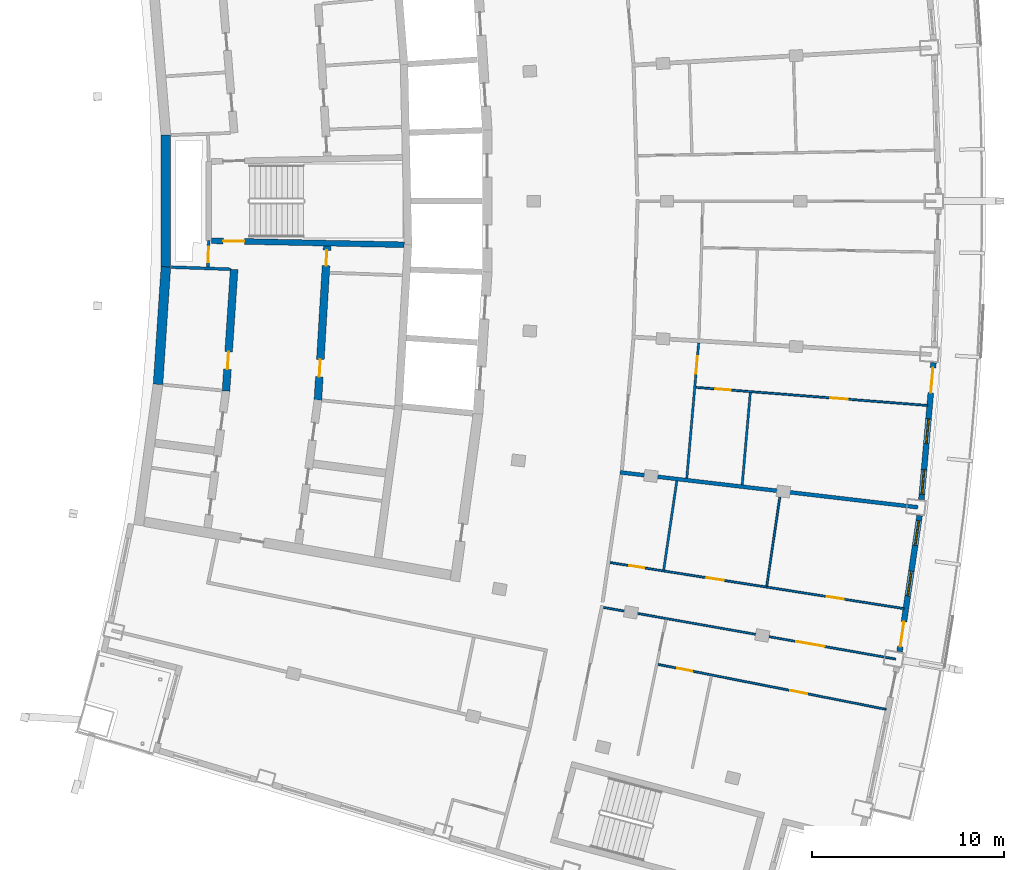
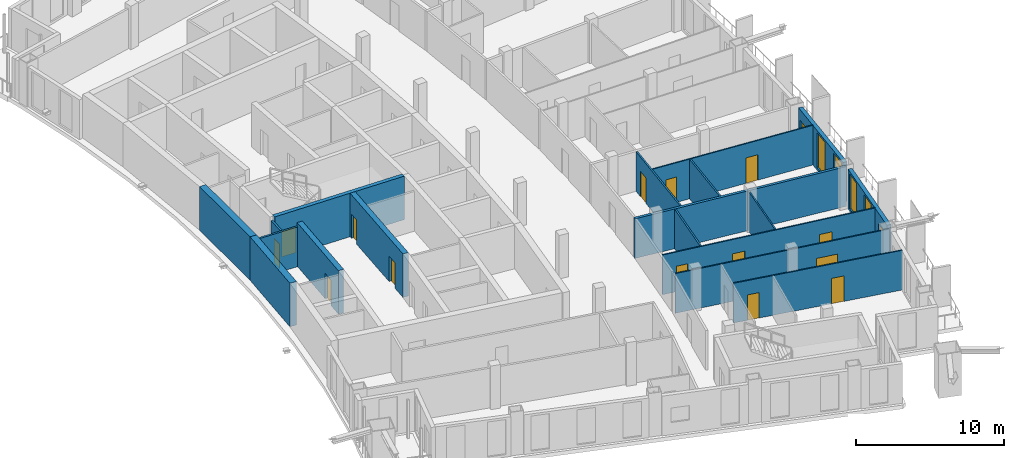
# One storey, part 9 of 20: 18 walls, 16 doors, 4 windows, 20 openings.
"""IFC4 building model written with IfcOpenShell, lengths in metres."""

import ifcopenshell
import ifcopenshell.guid

model = None  # the IFC model being written
_history = None  # IfcOwnerHistory: only IFC2X3 demands one
_inside = {}  # id of a spatial element -> (the spatial element, [elements in it])
_under = {}  # id of a project, library or spatial element -> (it, [spatial elements below it])
_declared = {}  # id of a project -> (the project, [libraries it declares])
_typed = {}  # id of a type object -> (the type object, [elements of that type])
_made_of = {}  # id of a material, layer set ... -> (it, [elements and type objects made of it])


def new_model(schema):
    """Start an empty IFC model of exactly this schema.

    Asked for "IFC4X3", IfcOpenShell would pick the latest addendum, in which some entities
    have other attributes; the version numbers below select the first issue.
    IFC2X3 requires an IfcOwnerHistory on every rooted entity: one is made here for all.
    """
    global model, _history
    if schema == "IFC4X3":
        model = ifcopenshell.file(schema_version=(4, 3, 0, 0))
    else:
        model = ifcopenshell.file(schema=schema)
    _inside.clear()
    _under.clear()
    _declared.clear()
    _typed.clear()
    _made_of.clear()
    _history = None
    if model.schema == "IFC2X3":
        org = make("IfcOrganization", Name="unknown")
        user = make(
            "IfcPersonAndOrganization",
            ThePerson=make("IfcPerson", FamilyName="unknown"),
            TheOrganization=org,
        )
        app = make(
            "IfcApplication",
            ApplicationDeveloper=org,
            Version="unknown",
            ApplicationFullName="unknown",
            ApplicationIdentifier="unknown",
        )
        _history = make(
            "IfcOwnerHistory",
            OwningUser=user,
            OwningApplication=app,
            ChangeAction="ADDED",
            CreationDate=0,
        )
    return model


def make(cls, **values):
    """One entity of the class cls with the attributes given. An attribute that is None is left unset."""
    return model.create_entity(
        cls, **{name: value for name, value in values.items() if value is not None}
    )


def rooted(cls, **values):
    """An entity with a GlobalId (a new one), such as an element, a storey or a relation."""
    return make(cls, GlobalId=ifcopenshell.guid.new(), OwnerHistory=_history, **values)


def si_unit(unit_type, name, prefix=None):
    """IfcSIUnit, for example si_unit("LENGTHUNIT", "METRE", prefix="MILLI")."""
    return make("IfcSIUnit", UnitType=unit_type, Prefix=prefix, Name=name)


def assignment(units):
    """IfcUnitAssignment: the units of a project."""
    return None if units is None else make("IfcUnitAssignment", Units=units)


def point(xyz):
    """IfcCartesianPoint."""
    return None if xyz is None else make("IfcCartesianPoint", Coordinates=xyz)


def direction(xyz):
    """IfcDirection."""
    return None if xyz is None else make("IfcDirection", DirectionRatios=xyz)


def frame(location, z_axis=None, x_axis=None):
    """IfcAxis2Placement3D, a coordinate frame: its origin and axes. An axis left out is left unset."""
    return make(
        "IfcAxis2Placement3D",
        Location=point(location),
        Axis=direction(z_axis),
        RefDirection=direction(x_axis),
    )


def frame_2d(location, x_axis=None):
    """IfcAxis2Placement2D, a coordinate frame in the plane: its origin and x axis."""
    return make(
        "IfcAxis2Placement2D", Location=point(location), RefDirection=direction(x_axis)
    )


def origin():
    """The frame at (0, 0, 0) with its axes left unset."""
    return frame((0.0, 0.0, 0.0))


def place(relative_to, where):
    """IfcLocalPlacement: puts the frame where relative to a parent placement (None: the world)."""
    return make(
        "IfcLocalPlacement", PlacementRelTo=relative_to, RelativePlacement=where
    )


def context(
    kind, dimensions, precision=None, world=None, true_north=None, identifier=None
):
    """IfcGeometricRepresentationContext, for example the 3D "Model" context."""
    return make(
        "IfcGeometricRepresentationContext",
        ContextIdentifier=identifier,
        ContextType=kind,
        CoordinateSpaceDimension=dimensions,
        Precision=precision,
        WorldCoordinateSystem=world,
        TrueNorth=true_north,
    )


def subcontext(parent, identifier, kind, view, scale=None):
    """IfcGeometricRepresentationSubContext, for example "Body" below "Model"."""
    return make(
        "IfcGeometricRepresentationSubContext",
        ContextIdentifier=identifier,
        ContextType=kind,
        ParentContext=parent,
        TargetScale=scale,
        TargetView=view,
    )


def project(units=None, contexts=None):
    """IfcProject with its units and contexts."""
    return rooted(
        "IfcProject",
        Name="project",
        RepresentationContexts=contexts,
        UnitsInContext=assignment(units),
    )


def spatial(cls, under=None, at=None, **own):
    """A site, building, storey or space (cls), placed at a placement, below another one or the project."""
    s = rooted(cls, ObjectPlacement=at, **own)
    if under is not None:
        _under.setdefault(under.id(), (under, []))[1].append(s)
    return s


def profile(cls, at=None, kind="AREA", **sizes):
    """A parametric profile (cls). Its sizes go by their IFC names, for example OverallWidth=200.0."""
    return make(cls, ProfileType=kind, Position=at, **sizes)


def rectangle(**sizes):
    """IfcRectangleProfileDef."""
    return profile("IfcRectangleProfileDef", **sizes)


def extrude(swept, where, along, depth):
    """IfcExtrudedAreaSolid: the profile swept, set in the frame where, extruded along a direction by depth."""
    return make(
        "IfcExtrudedAreaSolid",
        SweptArea=swept,
        Position=where,
        ExtrudedDirection=direction(along),
        Depth=depth,
    )


def shape(context_of_items, identifier, shape_type, items):
    """IfcShapeRepresentation: the items that make up one representation, for example the "Body"."""
    return make(
        "IfcShapeRepresentation",
        ContextOfItems=context_of_items,
        RepresentationIdentifier=identifier,
        RepresentationType=shape_type,
        Items=items,
    )


def material(Name=None, Category=None):
    """IfcMaterial."""
    return make("IfcMaterial", Name=Name, Category=Category)


def layer(
    of_material, thickness, ventilated=None, Name=None, Category=None, Priority=None
):
    """IfcMaterialLayer: one layer of a wall or slab, of a material (None: an air gap)."""
    return make(
        "IfcMaterialLayer",
        Material=of_material,
        LayerThickness=thickness,
        IsVentilated=ventilated,
        Name=Name,
        Category=Category,
        Priority=Priority,
    )


def layer_set(layers, Name=None):
    """IfcMaterialLayerSet."""
    return make("IfcMaterialLayerSet", MaterialLayers=layers, LayerSetName=Name)


def made_of(thing, what):
    """Note that an element or type object is made of a material, layer set ...; save() writes the relation."""
    if what is not None:
        _made_of.setdefault(what.id(), (what, []))[1].append(thing)
    return thing


def type_object(cls, material=None, **own):
    """A type object (cls), such as IfcWallType, which elements share."""
    return made_of(rooted(cls, **own), material)


def element(
    cls,
    number,
    at=None,
    inside=None,
    cuts=None,
    type_object=None,
    material=None,
    context=None,
    identifier="Body",
    shape_type=None,
    held_by="IfcProductDefinitionShape",
    body=None,
    shapes=None,
    **own,
):
    """One element of the class cls, such as IfcWall. Its Tag is "e" and its number.

    at: its placement. inside: the storey or other place that contains it. cuts: it is an
    opening in that element (IfcRelVoidsElement). A single representation is given by context,
    identifier, shape_type and body (its items); several are given by shapes. held_by: the class
    of the entity that holds the representations. save() writes the other relations.
    """
    e = rooted(cls, Tag="e%d" % number, ObjectPlacement=at, **own)
    if body is not None:
        shapes = [shape(context, identifier, shape_type, body)]
    if shapes is not None:
        e.Representation = make(held_by, Representations=shapes)
    if inside is not None:
        _inside.setdefault(inside.id(), (inside, []))[1].append(e)
    if cuts is not None:
        rooted(
            "IfcRelVoidsElement", RelatingBuildingElement=cuts, RelatedOpeningElement=e
        )
    if type_object is not None:
        _typed.setdefault(type_object.id(), (type_object, []))[1].append(e)
    return made_of(e, material)


def fill(opening, filler):
    """IfcRelFillsElement: the door or window that sits in an opening."""
    return rooted(
        "IfcRelFillsElement",
        RelatingOpeningElement=opening,
        RelatedBuildingElement=filler,
    )


def aggregate(whole, parts):
    """IfcRelAggregates: a whole, such as a stair, and the parts it consists of."""
    return rooted("IfcRelAggregates", RelatingObject=whole, RelatedObjects=parts)


def save(model, path):
    """Write the relations noted so far, then the file.

    IfcRelAggregates (storeys below a building ...), IfcRelContainedInSpatialStructure (elements
    in a storey), IfcRelDefinesByType, IfcRelAssociatesMaterial and IfcRelDeclares: one each for
    every whole, place, type object, material and project.
    """
    for whole, parts in _under.values():
        aggregate(whole, parts)
    for where, things in _inside.values():
        rooted(
            "IfcRelContainedInSpatialStructure",
            RelatedElements=things,
            RelatingStructure=where,
        )
    for kind, things in _typed.values():
        rooted("IfcRelDefinesByType", RelatedObjects=things, RelatingType=kind)
    for what, things in _made_of.values():
        rooted("IfcRelAssociatesMaterial", RelatedObjects=things, RelatingMaterial=what)
    for by, libraries in _declared.values():
        rooted("IfcRelDeclares", RelatingContext=by, RelatedDefinitions=libraries)
    model.write(path)


model = new_model("IFC4")

# Units and contexts
model_context = context("Model", 3, precision=1e-05, world=origin(), true_north=direction((0.0, 1.0)))
body_context = subcontext(model_context, "Body", "Model", "MODEL_VIEW")
ifc_project = project(units=[si_unit("LENGTHUNIT", "METRE"), si_unit("AREAUNIT", "SQUARE_METRE"), si_unit("VOLUMEUNIT", "CUBIC_METRE"), si_unit("PLANEANGLEUNIT", "RADIAN"), si_unit("MASSUNIT", "GRAM", prefix="KILO")], contexts=[model_context])

# Site, building, storey
site_placement = place(None, origin())
site = spatial("IfcSite", under=ifc_project, at=site_placement, CompositionType="ELEMENT")
building_placement = place(site_placement, origin())
building = spatial("IfcBuilding", under=site, at=building_placement, Name="Alderwake Tower", CompositionType="ELEMENT")
storey_placement = place(building_placement, frame((0.0, 0.0, 263.60009765625)))
storey = spatial("IfcBuildingStorey", under=building, at=storey_placement, Name="L65", CompositionType="ELEMENT", Elevation=263.60009765625)

# Wall, opening, door
ifc_material_1 = material(Name="Gypsum shaft wall system, rated")
ifc_layer_1 = layer(ifc_material_1, 0.14990234375)
ifc_layer_set_1 = layer_set([ifc_layer_1], Name="Core room partition 150")
wall_type_1 = type_object("IfcWallType", Name="Core room partition 150", PredefinedType="PARTITIONING", material=ifc_layer_set_1)
wall_1_placement = place(storey_placement, frame((18.918701171875, 58.94384765625, 0.0), z_axis=(0.0, 0.0, 1.0), x_axis=(-0.027811602725, -0.999613182563, 0.0)))
wall_1 = element("IfcWall", 1, at=wall_1_placement, inside=storey, type_object=wall_type_1, Name="CW/L65/PA+24_-37", PredefinedType="PARTITIONING", context=body_context, shape_type="SweptSolid", body=[
    extrude(rectangle(XDim=1.369384765625, YDim=0.14990234375, at=frame_2d((0.6845703125, 0.0))), origin(), (0.0, 0.0, 1.0), 3.27978515625),
])
opening_1_placement = place(wall_1_placement, frame((0.322998046875, 0.0, 0.0)))
opening_1 = element("IfcOpeningElement", 2, at=opening_1_placement, cuts=wall_1, Name="Opening C004", PredefinedType="OPENING", context=body_context, shape_type="SweptSolid", body=[
    extrude(rectangle(XDim=0.800048828125, YDim=2.0, at=frame_2d((0.39990234375, 1.0))), frame((0.0, 0.0849609375, 0.0), z_axis=(0.0, -1.0, 0.0), x_axis=(1.0, 0.0, 0.0)), (0.0, 0.0, 1.0), 0.169921875),
])
ifc_material_2 = material(Name="Painted steel leaf, rated", Category="steel")
door_type_1 = type_object("IfcDoorType", Name="Riser access door 800", OperationType="SINGLE_SWING_LEFT", PredefinedType="DOOR", material=ifc_material_2)
door_1_placement = place(opening_1_placement, origin())
door_1 = element("IfcDoor", 3, at=door_1_placement, inside=storey, type_object=door_type_1, Name="Riser access door", OperationType="SINGLE_SWING_RIGHT", OverallHeight=2.0, OverallWidth=0.800048828125, PredefinedType="DOOR", context=body_context, shape_type="SweptSolid", body=[
    extrude(rectangle(XDim=0.800048828125, YDim=2.0, at=frame_2d((0.39990234375, 1.0))), frame((0.0, 0.02490234375, 0.0), z_axis=(0.0, -1.0, 0.0), x_axis=(1.0, 0.0, 0.0)), (0.0, 0.0, 1.0), 0.050048828125),
])
fill(opening_1, door_1)

# Walls
wall_2_placement = place(storey_placement, frame((16.969482421875, 57.5673828125, 0.0), z_axis=(0.0, 0.0, 1.0), x_axis=(0.999376258731, -0.035314210814, 0.0)))
element("IfcWall", 4, at=wall_2_placement, inside=storey, type_object=wall_type_1, Name="CW/L65/PR-37_+0", PredefinedType="PARTITIONING", context=body_context, shape_type="SweptSolid", body=[
    extrude(rectangle(XDim=3.069580078125, YDim=0.14990234375, at=frame_2d((1.53466796875, 0.0))), origin(), (0.0, 0.0, 1.0), 3.27978515625),
])
ifc_material_3 = material(Name="Concrete C70/85", Category="concrete")
ifc_layer_2 = layer(ifc_material_3, 0.5)
ifc_layer_set_2 = layer_set([ifc_layer_2], Name="Core wall outer 500 C70-85")
wall_type_2 = type_object("IfcWallType", Name="Core wall outer 500 C70-85", PredefinedType="SHEAR", material=ifc_layer_set_2)
wall_3_placement = place(storey_placement, frame((16.280517578125, 51.4765625, 0.0), z_axis=(0.0, 0.0, 1.0), x_axis=(0.066863022947, 0.997762164127, 0.0)))
element("IfcWall", 5, at=wall_3_placement, inside=storey, type_object=wall_type_2, Name="Core wall CW.027", PredefinedType="SHEAR", context=body_context, shape_type="SweptSolid", body=[
    extrude(rectangle(XDim=6.123291015625, YDim=0.5, at=frame_2d((3.0615234375, 0.0))), origin(), (0.0, 0.0, 1.0), 3.599853515625),
])
wall_4_placement = place(storey_placement, frame((16.689453125, 57.568603515625, 0.0), z_axis=(0.0, 0.0, 1.0), x_axis=(0.0, 1.0, 0.0)))
element("IfcWall", 6, at=wall_4_placement, inside=storey, type_object=wall_type_2, Name="Core wall CW.029", PredefinedType="SHEAR", context=body_context, shape_type="SweptSolid", body=[
    extrude(rectangle(XDim=6.86474609375, YDim=0.5, at=frame_2d((3.432373046875, 0.0))), origin(), (0.0, 0.0, 1.0), 3.599853515625),
])

# Wall, opening, door
ifc_material_4 = material(Name="Concrete C70/85", Category="concrete")
ifc_layer_3 = layer(ifc_material_4, 0.39990234375)
ifc_layer_set_3 = layer_set([ifc_layer_3], Name="Core wall spine 400 C70-85")
wall_type_3 = type_object("IfcWallType", Name="Core wall spine 400 C70-85", PredefinedType="SHEAR", material=ifc_layer_set_3)
wall_5_placement = place(storey_placement, frame((20.2373046875, 57.451904296875, 0.0), z_axis=(0.0, 0.0, 1.0), x_axis=(-0.066884681503, -0.997760712486, 0.0)))
wall_5 = element("IfcWall", 7, at=wall_5_placement, inside=storey, type_object=wall_type_3, Name="Core wall CW.032", PredefinedType="SHEAR", context=body_context, shape_type="SweptSolid", body=[
    extrude(rectangle(XDim=6.336669921875, YDim=0.39990234375, at=frame_2d((3.16845703125, 0.0))), origin(), (0.0, 0.0, 1.0), 3.599853515625),
])
opening_2_placement = place(wall_5_placement, frame((4.29736328125, 0.0, 0.0)))
opening_2 = element("IfcOpeningElement", 8, at=opening_2_placement, cuts=wall_5, Name="Opening C040", PredefinedType="OPENING", context=body_context, shape_type="SweptSolid", body=[
    extrude(rectangle(XDim=0.89990234375, YDim=2.10009765625, at=frame_2d((0.449951171875, 1.050048828125))), frame((0.0, 0.2099609375, 0.0), z_axis=(0.0, -1.0, 0.0), x_axis=(1.0, 0.0, 0.0)), (0.0, 0.0, 1.0), 0.419921875),
])
ifc_material_5 = material(Name="Painted steel leaf", Category="steel")
door_type_2 = type_object("IfcDoorType", Name="Core room door 900", OperationType="SINGLE_SWING_LEFT", PredefinedType="DOOR", material=ifc_material_5)
door_2_placement = place(opening_2_placement, origin())
door_2 = element("IfcDoor", 9, at=door_2_placement, inside=storey, type_object=door_type_2, Name="Room door", OperationType="SINGLE_SWING_RIGHT", OverallHeight=2.10009765625, OverallWidth=0.89990234375, PredefinedType="DOOR", context=body_context, shape_type="SweptSolid", body=[
    extrude(rectangle(XDim=0.89990234375, YDim=2.10009765625, at=frame_2d((0.449951171875, 1.050048828125))), frame((0.0, 0.02490234375, 0.0), z_axis=(0.0, -1.0, 0.0), x_axis=(1.0, 0.0, 0.0)), (0.0, 0.0, 1.0), 0.050048828125),
])
fill(opening_2, door_2)

# Wall, openings, doors
wall_6_placement = place(storey_placement, frame((24.590087890625, 50.65673828125, 0.0), z_axis=(0.0, 0.0, 1.0), x_axis=(0.060318641452, 0.998179173041, 0.0)))
wall_6 = element("IfcWall", 10, at=wall_6_placement, inside=storey, type_object=wall_type_3, Name="Core wall CW.046", PredefinedType="SHEAR", context=body_context, shape_type="SweptSolid", body=[
    extrude(rectangle(XDim=8.022216796875, YDim=0.39990234375, at=frame_2d((4.01123046875, 0.0))), origin(), (0.0, 0.0, 1.0), 3.599853515625),
])
opening_3_placement = place(wall_6_placement, frame((7.006103515625, 0.0, 0.0)))
opening_3 = element("IfcOpeningElement", 11, at=opening_3_placement, cuts=wall_6, Name="Opening C006", PredefinedType="OPENING", context=body_context, shape_type="SweptSolid", body=[
    extrude(rectangle(XDim=0.800048828125, YDim=2.0, at=frame_2d((0.39990234375, 1.0))), frame((0.0, 0.2099609375, 0.0), z_axis=(0.0, -1.0, 0.0), x_axis=(1.0, 0.0, 0.0)), (0.0, 0.0, 1.0), 0.419921875),
])
opening_4_placement = place(wall_6_placement, frame((1.21533203125, 0.0, 0.0)))
opening_4 = element("IfcOpeningElement", 12, at=opening_4_placement, cuts=wall_6, Name="Opening C046", PredefinedType="OPENING", context=body_context, shape_type="SweptSolid", body=[
    extrude(rectangle(XDim=0.89990234375, YDim=2.10009765625, at=frame_2d((0.449951171875, 1.050048828125))), frame((0.0, 0.2099609375, 0.0), z_axis=(0.0, -1.0, 0.0), x_axis=(1.0, 0.0, 0.0)), (0.0, 0.0, 1.0), 0.419921875),
])
door_3_placement = place(opening_4_placement, origin())
door_3 = element("IfcDoor", 13, at=door_3_placement, inside=storey, type_object=door_type_2, Name="Room door", OperationType="SINGLE_SWING_RIGHT", OverallHeight=2.10009765625, OverallWidth=0.89990234375, PredefinedType="DOOR", context=body_context, shape_type="SweptSolid", body=[
    extrude(rectangle(XDim=0.89990234375, YDim=2.10009765625, at=frame_2d((0.449951171875, 1.050048828125))), frame((0.0, 0.02490234375, 0.0), z_axis=(0.0, -1.0, 0.0), x_axis=(1.0, 0.0, 0.0)), (0.0, 0.0, 1.0), 0.050048828125),
])
fill(opening_4, door_3)
door_4_placement = place(opening_3_placement, origin())
door_4 = element("IfcDoor", 14, at=door_4_placement, inside=storey, type_object=door_type_1, Name="Riser access door", OperationType="SINGLE_SWING_RIGHT", OverallHeight=2.0, OverallWidth=0.800048828125, PredefinedType="DOOR", context=body_context, shape_type="SweptSolid", body=[
    extrude(rectangle(XDim=0.800048828125, YDim=2.0, at=frame_2d((0.39990234375, 1.0))), frame((0.0, 0.02490234375, 0.0), z_axis=(0.0, -1.0, 0.0), x_axis=(1.0, 0.0, 0.0)), (0.0, 0.0, 1.0), 0.050048828125),
])
fill(opening_3, door_4)

# Wall, opening, door
ifc_material_6 = material(Name="Concrete C70/85", Category="concrete")
ifc_layer_4 = layer(ifc_material_6, 0.300048828125)
ifc_layer_set_4 = layer_set([ifc_layer_4], Name="Core wall stair enclosure 300 C70-85")
wall_type_4 = type_object("IfcWallType", Name="Core wall stair enclosure 300 C70-85", PredefinedType="SHEAR", material=ifc_layer_set_4)
wall_7_placement = place(storey_placement, frame((29.076416015625, 58.73095703125, 0.0), z_axis=(0.0, 0.0, 1.0), x_axis=(-0.99978356433, 0.020804434533, 0.0)))
wall_7 = element("IfcWall", 15, at=wall_7_placement, inside=storey, type_object=wall_type_4, Name="Core wall CW.074", PredefinedType="SHEAR", context=body_context, shape_type="SweptSolid", body=[
    extrude(rectangle(XDim=10.010009765625, YDim=0.300048828125, at=frame_2d((5.0048828125, 0.0))), origin(), (0.0, 0.0, 1.0), 3.599853515625),
])
opening_5_placement = place(wall_7_placement, frame((8.309814453125, 0.0, 0.0)))
opening_5 = element("IfcOpeningElement", 16, at=opening_5_placement, cuts=wall_7, Name="Opening C063", PredefinedType="OPENING", context=body_context, shape_type="SweptSolid", body=[
    extrude(rectangle(XDim=1.10009765625, YDim=2.10009765625, at=frame_2d((0.550048828125, 1.050048828125))), frame((0.0, 0.159912109375, 0.0), z_axis=(0.0, -1.0, 0.0), x_axis=(1.0, 0.0, 0.0)), (0.0, 0.0, 1.0), 0.320068359375),
])
ifc_material_7 = material(Name="Steel-framed fire door leaf", Category="steel")
door_type_3 = type_object("IfcDoorType", Name="Core stair door 1100 fire-rated", OperationType="SINGLE_SWING_LEFT", PredefinedType="DOOR", material=ifc_material_7)
door_5_placement = place(opening_5_placement, origin())
door_5 = element("IfcDoor", 17, at=door_5_placement, inside=storey, type_object=door_type_3, Name="Stair door", OperationType="SINGLE_SWING_RIGHT", OverallHeight=2.10009765625, OverallWidth=1.10009765625, PredefinedType="DOOR", context=body_context, shape_type="SweptSolid", body=[
    extrude(rectangle(XDim=1.10009765625, YDim=2.10009765625, at=frame_2d((0.550048828125, 1.050048828125))), frame((0.0, 0.02490234375, 0.0), z_axis=(0.0, -1.0, 0.0), x_axis=(1.0, 0.0, 0.0)), (0.0, 0.0, 1.0), 0.050048828125),
])
fill(opening_5, door_5)

# Wall, openings, door, windows
ifc_material_8 = material(Name="Precast concrete C50/60 spandrel panel", Category="concrete")
ifc_layer_5 = layer(ifc_material_8, 0.300048828125)
ifc_layer_set_5 = layer_set([ifc_layer_5], Name="External wall EW1 Precast concrete C50/60 spandrel")
wall_type_5 = type_object("IfcWallType", Name="External wall EW1 Precast concrete C50/60 spandrel", PredefinedType="SOLIDWALL", material=ifc_layer_set_5)
wall_8_placement = place(storey_placement, frame((54.821044921875, 37.590576171875, 0.0), z_axis=(0.0, 0.0, 1.0), x_axis=(0.145317744338, 0.98938503788, 0.0)))
wall_8 = element("IfcWall", 18, at=wall_8_placement, inside=storey, type_object=wall_type_5, Name="External wall 13", PredefinedType="SOLIDWALL", context=body_context, shape_type="SweptSolid", body=[
    extrude(rectangle(XDim=7.138427734375, YDim=0.300048828125, at=frame_2d((3.5693359375, 0.0))), origin(), (0.0, 0.0, 1.0), 3.27978515625),
])
opening_6_placement = place(wall_8_placement, frame((0.263427734375, 0.0, 0.0)))
opening_6 = element("IfcOpeningElement", 19, at=opening_6_placement, cuts=wall_8, Name="Opening D03", PredefinedType="OPENING", context=body_context, shape_type="SweptSolid", body=[
    extrude(rectangle(XDim=1.300048828125, YDim=2.39990234375, at=frame_2d((0.64990234375, 1.199951171875))), frame((0.0, 0.159912109375, 0.0), z_axis=(0.0, -1.0, 0.0), x_axis=(1.0, 0.0, 0.0)), (0.0, 0.0, 1.0), 0.320068359375),
])
opening_7_placement = place(wall_8_placement, frame((2.919189453125, 0.0, 0.199951171875)))
opening_7 = element("IfcOpeningElement", 20, at=opening_7_placement, cuts=wall_8, Name="Opening W1", PredefinedType="OPENING", context=body_context, shape_type="SweptSolid", body=[
    extrude(rectangle(XDim=1.300048828125, YDim=2.89990234375, at=frame_2d((0.64990234375, 1.449951171875))), frame((0.0, 0.159912109375, 0.0), z_axis=(0.0, -1.0, 0.0), x_axis=(1.0, 0.0, 0.0)), (0.0, 0.0, 1.0), 0.320068359375),
])
opening_8_placement = place(wall_8_placement, frame((5.574951171875, 0.0, 0.199951171875)))
opening_8 = element("IfcOpeningElement", 21, at=opening_8_placement, cuts=wall_8, Name="Opening W1", PredefinedType="OPENING", context=body_context, shape_type="SweptSolid", body=[
    extrude(rectangle(XDim=1.300048828125, YDim=2.89990234375, at=frame_2d((0.64990234375, 1.449951171875))), frame((0.0, 0.159912109375, 0.0), z_axis=(0.0, -1.0, 0.0), x_axis=(1.0, 0.0, 0.0)), (0.0, 0.0, 1.0), 0.320068359375),
])
ifc_material_9 = material(Name="Bronze tinted glass in aluminium frame", Category="aluminium")
door_type_4 = type_object("IfcDoorType", Name="Balcony door BD sliding", OperationType="SLIDING_TO_LEFT", PredefinedType="DOOR", material=ifc_material_9)
door_6_placement = place(opening_6_placement, origin())
door_6 = element("IfcDoor", 22, at=door_6_placement, inside=storey, type_object=door_type_4, Name="Door D03", OperationType="SLIDING_TO_LEFT", OverallHeight=2.39990234375, OverallWidth=1.300048828125, PredefinedType="DOOR", context=body_context, shape_type="SweptSolid", body=[
    extrude(rectangle(XDim=1.300048828125, YDim=2.39990234375, at=frame_2d((0.64990234375, 1.199951171875))), frame((0.0, 0.02490234375, 0.0), z_axis=(0.0, -1.0, 0.0), x_axis=(1.0, 0.0, 0.0)), (0.0, 0.0, 1.0), 0.050048828125),
])
fill(opening_6, door_6)
ifc_material_10 = material(Name="Bronze tinted glass in aluminium frame", Category="aluminium")
window_type = type_object("IfcWindowType", Name="Window W1 tall fixed and vent", PartitioningType="DOUBLE_PANEL_VERTICAL", PredefinedType="WINDOW", material=ifc_material_10)
window_1_placement = place(opening_7_placement, origin())
window_1 = element("IfcWindow", 23, at=window_1_placement, inside=storey, type_object=window_type, Name="Window W1 tall fixed and vent", OverallHeight=2.89990234375, OverallWidth=1.300048828125, PartitioningType="DOUBLE_PANEL_VERTICAL", PredefinedType="WINDOW", context=body_context, shape_type="SweptSolid", body=[
    extrude(rectangle(XDim=1.300048828125, YDim=2.89990234375, at=frame_2d((0.64990234375, 1.449951171875))), frame((0.0, 0.030029296875, 0.0), z_axis=(0.0, -1.0, 0.0), x_axis=(1.0, 0.0, 0.0)), (0.0, 0.0, 1.0), 0.06005859375),
])
fill(opening_7, window_1)
window_2_placement = place(opening_8_placement, origin())
window_2 = element("IfcWindow", 24, at=window_2_placement, inside=storey, type_object=window_type, Name="Window W1 tall fixed and vent", OverallHeight=2.89990234375, OverallWidth=1.300048828125, PartitioningType="DOUBLE_PANEL_VERTICAL", PredefinedType="WINDOW", context=body_context, shape_type="SweptSolid", body=[
    extrude(rectangle(XDim=1.300048828125, YDim=2.89990234375, at=frame_2d((0.64990234375, 1.449951171875))), frame((0.0, 0.030029296875, 0.0), z_axis=(0.0, -1.0, 0.0), x_axis=(1.0, 0.0, 0.0)), (0.0, 0.0, 1.0), 0.06005859375),
])
fill(opening_8, window_2)

wall_9_placement = place(storey_placement, frame((55.95654296875, 45.490478515625, 0.0), z_axis=(0.0, 0.0, 1.0), x_axis=(0.087383747715, 0.996174723949, 0.0)))
wall_9 = element("IfcWall", 25, at=wall_9_placement, inside=storey, type_object=wall_type_5, Name="External wall 14", PredefinedType="SOLIDWALL", context=body_context, shape_type="SweptSolid", body=[
    extrude(rectangle(XDim=7.138427734375, YDim=0.300048828125, at=frame_2d((3.5693359375, 0.0))), origin(), (0.0, 0.0, 1.0), 3.27978515625),
])
opening_9_placement = place(wall_9_placement, frame((0.263427734375, 0.0, 0.199951171875)))
opening_9 = element("IfcOpeningElement", 26, at=opening_9_placement, cuts=wall_9, Name="Opening W1", PredefinedType="OPENING", context=body_context, shape_type="SweptSolid", body=[
    extrude(rectangle(XDim=1.300048828125, YDim=2.89990234375, at=frame_2d((0.64990234375, 1.449951171875))), frame((0.0, 0.159912109375, 0.0), z_axis=(0.0, -1.0, 0.0), x_axis=(1.0, 0.0, 0.0)), (0.0, 0.0, 1.0), 0.320068359375),
])
opening_10_placement = place(wall_9_placement, frame((2.919189453125, 0.0, 0.199951171875)))
opening_10 = element("IfcOpeningElement", 27, at=opening_10_placement, cuts=wall_9, Name="Opening W1", PredefinedType="OPENING", context=body_context, shape_type="SweptSolid", body=[
    extrude(rectangle(XDim=1.300048828125, YDim=2.89990234375, at=frame_2d((0.64990234375, 1.449951171875))), frame((0.0, 0.159912109375, 0.0), z_axis=(0.0, -1.0, 0.0), x_axis=(1.0, 0.0, 0.0)), (0.0, 0.0, 1.0), 0.320068359375),
])
opening_11_placement = place(wall_9_placement, frame((5.574951171875, 0.0, 0.0)))
opening_11 = element("IfcOpeningElement", 28, at=opening_11_placement, cuts=wall_9, Name="Opening D04", PredefinedType="OPENING", context=body_context, shape_type="SweptSolid", body=[
    extrude(rectangle(XDim=1.300048828125, YDim=2.39990234375, at=frame_2d((0.64990234375, 1.199951171875))), frame((0.0, 0.159912109375, 0.0), z_axis=(0.0, -1.0, 0.0), x_axis=(1.0, 0.0, 0.0)), (0.0, 0.0, 1.0), 0.320068359375),
])
door_7_placement = place(opening_11_placement, origin())
door_7 = element("IfcDoor", 29, at=door_7_placement, inside=storey, type_object=door_type_4, Name="Door D04", OperationType="SLIDING_TO_LEFT", OverallHeight=2.39990234375, OverallWidth=1.300048828125, PredefinedType="DOOR", context=body_context, shape_type="SweptSolid", body=[
    extrude(rectangle(XDim=1.300048828125, YDim=2.39990234375, at=frame_2d((0.64990234375, 1.199951171875))), frame((0.0, 0.02490234375, 0.0), z_axis=(0.0, -1.0, 0.0), x_axis=(1.0, 0.0, 0.0)), (0.0, 0.0, 1.0), 0.050048828125),
])
fill(opening_11, door_7)
window_3_placement = place(opening_9_placement, origin())
window_3 = element("IfcWindow", 30, at=window_3_placement, inside=storey, type_object=window_type, Name="Window W1 tall fixed and vent", OverallHeight=2.89990234375, OverallWidth=1.300048828125, PartitioningType="DOUBLE_PANEL_VERTICAL", PredefinedType="WINDOW", context=body_context, shape_type="SweptSolid", body=[
    extrude(rectangle(XDim=1.300048828125, YDim=2.89990234375, at=frame_2d((0.64990234375, 1.449951171875))), frame((0.0, 0.030029296875, 0.0), z_axis=(0.0, -1.0, 0.0), x_axis=(1.0, 0.0, 0.0)), (0.0, 0.0, 1.0), 0.06005859375),
])
fill(opening_9, window_3)
window_4_placement = place(opening_10_placement, origin())
window_4 = element("IfcWindow", 31, at=window_4_placement, inside=storey, type_object=window_type, Name="Window W1 tall fixed and vent", OverallHeight=2.89990234375, OverallWidth=1.300048828125, PartitioningType="DOUBLE_PANEL_VERTICAL", PredefinedType="WINDOW", context=body_context, shape_type="SweptSolid", body=[
    extrude(rectangle(XDim=1.300048828125, YDim=2.89990234375, at=frame_2d((0.64990234375, 1.449951171875))), frame((0.0, 0.030029296875, 0.0), z_axis=(0.0, -1.0, 0.0), x_axis=(1.0, 0.0, 0.0)), (0.0, 0.0, 1.0), 0.06005859375),
])
fill(opening_10, window_4)

# Wall
ifc_material_11 = material(Name="Dense block masonry wall", Category="masonry")
ifc_layer_6 = layer(ifc_material_11, 0.199951171875)
ifc_layer_set_6 = layer_set([ifc_layer_6], Name="Party wall 200")
wall_type_6 = type_object("IfcWallType", Name="Party wall 200", PredefinedType="SOLIDWALL", material=ifc_layer_set_6)
wall_10_placement = place(storey_placement, frame((40.297607421875, 46.90234375, 0.0), z_axis=(0.0, 0.0, 1.0), x_axis=(0.993186713738, -0.116533907745, 0.0)))
element("IfcWall", 32, at=wall_10_placement, inside=storey, type_object=wall_type_6, Name="WL/L65/W01", PredefinedType="SOLIDWALL", context=body_context, shape_type="SweptSolid", body=[
    extrude(rectangle(XDim=15.57861328125, YDim=0.199951171875, at=frame_2d((7.789306640625, 0.0))), origin(), (0.0, 0.0, 1.0), 3.27978515625),
])

# Wall, opening, door
ifc_material_12 = material(Name="Gypsum board on metal studs")
ifc_layer_7 = layer(ifc_material_12, 0.10009765625)
ifc_layer_set_7 = layer_set([ifc_layer_7], Name="Unit partition 100")
wall_type_7 = type_object("IfcWallType", Name="Unit partition 100", PredefinedType="PARTITIONING", material=ifc_layer_set_7)
wall_11_placement = place(storey_placement, frame((39.4267578125, 39.883056640625, 0.0), z_axis=(0.0, 0.0, 1.0), x_axis=(0.984746399753, -0.173995770564, 0.0)))
wall_11 = element("IfcWall", 33, at=wall_11_placement, inside=storey, type_object=wall_type_7, Name="WL/L65/W44", PredefinedType="PARTITIONING", context=body_context, shape_type="SweptSolid", body=[
    extrude(rectangle(XDim=15.42041015625, YDim=0.10009765625, at=frame_2d((7.710205078125, 0.0))), origin(), (0.0, 0.0, 1.0), 3.27978515625),
])
opening_12_placement = place(wall_11_placement, frame((10.17431640625, 0.0, 0.0)))
opening_12 = element("IfcOpeningElement", 34, at=opening_12_placement, cuts=wall_11, Name="Opening R18-U03.8", PredefinedType="OPENING", context=body_context, shape_type="SweptSolid", body=[
    extrude(rectangle(XDim=1.5, YDim=2.10009765625, at=frame_2d((0.75, 1.050048828125))), frame((0.0, 0.06005859375, 0.0), z_axis=(0.0, -1.0, 0.0), x_axis=(1.0, 0.0, 0.0)), (0.0, 0.0, 1.0), 0.1201171875),
])
ifc_material_13 = material(Name="Painted timber leaves", Category="wood")
door_type_5 = type_object("IfcDoorType", Name="Double leaf door 1500", OperationType="DOUBLE_DOOR_SINGLE_SWING", PredefinedType="DOOR", material=ifc_material_13)
door_8_placement = place(opening_12_placement, origin())
door_8 = element("IfcDoor", 35, at=door_8_placement, inside=storey, type_object=door_type_5, Name="DR/L65/U03.8", OperationType="DOUBLE_DOOR_SINGLE_SWING", OverallHeight=2.10009765625, OverallWidth=1.5, PredefinedType="DOOR", context=body_context, shape_type="SweptSolid", body=[
    extrude(rectangle(XDim=1.5, YDim=2.10009765625, at=frame_2d((0.75, 1.050048828125))), frame((0.0, 0.02490234375, 0.0), z_axis=(0.0, -1.0, 0.0), x_axis=(1.0, 0.0, 0.0)), (0.0, 0.0, 1.0), 0.050048828125),
])
fill(opening_12, door_8)

# Wall, openings, doors
wall_12_placement = place(storey_placement, frame((39.76904296875, 42.215576171875, 0.0), z_axis=(0.0, 0.0, 1.0), x_axis=(0.987949269918, -0.15477803484, 0.0)))
wall_12 = element("IfcWall", 36, at=wall_12_placement, inside=storey, type_object=wall_type_7, Name="WL/L65/W45", PredefinedType="PARTITIONING", context=body_context, shape_type="SweptSolid", body=[
    extrude(rectangle(XDim=15.46435546875, YDim=0.10009765625, at=frame_2d((7.732177734375, 0.0))), origin(), (0.0, 0.0, 1.0), 3.27978515625),
])
opening_13_placement = place(wall_12_placement, frame((5.07958984375, 0.0, 0.0)))
opening_13 = element("IfcOpeningElement", 37, at=opening_13_placement, cuts=wall_12, Name="Opening R18-U03.5", PredefinedType="OPENING", context=body_context, shape_type="SweptSolid", body=[
    extrude(rectangle(XDim=0.89990234375, YDim=2.10009765625, at=frame_2d((0.449951171875, 1.050048828125))), frame((0.0, 0.06005859375, 0.0), z_axis=(0.0, -1.0, 0.0), x_axis=(1.0, 0.0, 0.0)), (0.0, 0.0, 1.0), 0.1201171875),
])
opening_14_placement = place(wall_12_placement, frame((1.010009765625, 0.0, 0.0)))
opening_14 = element("IfcOpeningElement", 38, at=opening_14_placement, cuts=wall_12, Name="Opening R18-U03.6", PredefinedType="OPENING", context=body_context, shape_type="SweptSolid", body=[
    extrude(rectangle(XDim=0.800048828125, YDim=2.10009765625, at=frame_2d((0.39990234375, 1.050048828125))), frame((0.0, 0.06005859375, 0.0), z_axis=(0.0, -1.0, 0.0), x_axis=(1.0, 0.0, 0.0)), (0.0, 0.0, 1.0), 0.1201171875),
])
opening_15_placement = place(wall_12_placement, frame((11.4013671875, 0.0, 0.0)))
opening_15 = element("IfcOpeningElement", 39, at=opening_15_placement, cuts=wall_12, Name="Opening R18-U03.7", PredefinedType="OPENING", context=body_context, shape_type="SweptSolid", body=[
    extrude(rectangle(XDim=0.89990234375, YDim=2.10009765625, at=frame_2d((0.449951171875, 1.050048828125))), frame((0.0, 0.06005859375, 0.0), z_axis=(0.0, -1.0, 0.0), x_axis=(1.0, 0.0, 0.0)), (0.0, 0.0, 1.0), 0.1201171875),
])
ifc_material_14 = material(Name="Painted timber leaf", Category="wood")
door_type_6 = type_object("IfcDoorType", Name="Bathroom door 800", OperationType="SINGLE_SWING_LEFT", PredefinedType="DOOR", material=ifc_material_14)
door_9_placement = place(opening_14_placement, origin())
door_9 = element("IfcDoor", 40, at=door_9_placement, inside=storey, type_object=door_type_6, Name="DR/L65/U03.6", OperationType="SINGLE_SWING_LEFT", OverallHeight=2.10009765625, OverallWidth=0.800048828125, PredefinedType="DOOR", context=body_context, shape_type="SweptSolid", body=[
    extrude(rectangle(XDim=0.800048828125, YDim=2.10009765625, at=frame_2d((0.39990234375, 1.050048828125))), frame((0.0, 0.02490234375, 0.0), z_axis=(0.0, -1.0, 0.0), x_axis=(1.0, 0.0, 0.0)), (0.0, 0.0, 1.0), 0.050048828125),
])
fill(opening_14, door_9)
ifc_material_15 = material(Name="Painted timber leaf", Category="wood")
door_type_7 = type_object("IfcDoorType", Name="Room door 900", OperationType="SINGLE_SWING_LEFT", PredefinedType="DOOR", material=ifc_material_15)
door_10_placement = place(opening_13_placement, origin())
door_10 = element("IfcDoor", 41, at=door_10_placement, inside=storey, type_object=door_type_7, Name="DR/L65/U03.5", OperationType="SINGLE_SWING_LEFT", OverallHeight=2.10009765625, OverallWidth=0.89990234375, PredefinedType="DOOR", context=body_context, shape_type="SweptSolid", body=[
    extrude(rectangle(XDim=0.89990234375, YDim=2.10009765625, at=frame_2d((0.449951171875, 1.050048828125))), frame((0.0, 0.02490234375, 0.0), z_axis=(0.0, -1.0, 0.0), x_axis=(1.0, 0.0, 0.0)), (0.0, 0.0, 1.0), 0.050048828125),
])
fill(opening_13, door_10)
door_11_placement = place(opening_15_placement, origin())
door_11 = element("IfcDoor", 42, at=door_11_placement, inside=storey, type_object=door_type_7, Name="DR/L65/U03.7", OperationType="SINGLE_SWING_LEFT", OverallHeight=2.10009765625, OverallWidth=0.89990234375, PredefinedType="DOOR", context=body_context, shape_type="SweptSolid", body=[
    extrude(rectangle(XDim=0.89990234375, YDim=2.10009765625, at=frame_2d((0.449951171875, 1.050048828125))), frame((0.0, 0.02490234375, 0.0), z_axis=(0.0, -1.0, 0.0), x_axis=(1.0, 0.0, 0.0)), (0.0, 0.0, 1.0), 0.050048828125),
])
fill(opening_15, door_11)

wall_13_placement = place(storey_placement, frame((54.1201171875, 34.5869140625, 0.0), z_axis=(0.0, 0.0, 1.0), x_axis=(-0.98115541296, 0.193220225697, 0.0)))
wall_13 = element("IfcWall", 43, at=wall_13_placement, inside=storey, type_object=wall_type_7, Name="WL/L65/W48", PredefinedType="PARTITIONING", context=body_context, shape_type="SweptSolid", body=[
    extrude(rectangle(XDim=12.08203125, YDim=0.10009765625, at=frame_2d((6.041015625, 0.0))), origin(), (0.0, 0.0, 1.0), 3.27978515625),
])
opening_16_placement = place(wall_13_placement, frame((10.262939453125, 0.0, 0.0)))
opening_16 = element("IfcOpeningElement", 44, at=opening_16_placement, cuts=wall_13, Name="Opening R18-U03.3", PredefinedType="OPENING", context=body_context, shape_type="SweptSolid", body=[
    extrude(rectangle(XDim=0.800048828125, YDim=2.10009765625, at=frame_2d((0.39990234375, 1.050048828125))), frame((0.0, 0.06005859375, 0.0), z_axis=(0.0, -1.0, 0.0), x_axis=(1.0, 0.0, 0.0)), (0.0, 0.0, 1.0), 0.1201171875),
])
opening_17_placement = place(wall_13_placement, frame((4.172119140625, 0.0, 0.0)))
opening_17 = element("IfcOpeningElement", 45, at=opening_17_placement, cuts=wall_13, Name="Opening R18-U03.4", PredefinedType="OPENING", context=body_context, shape_type="SweptSolid", body=[
    extrude(rectangle(XDim=0.89990234375, YDim=2.10009765625, at=frame_2d((0.449951171875, 1.050048828125))), frame((0.0, 0.06005859375, 0.0), z_axis=(0.0, -1.0, 0.0), x_axis=(1.0, 0.0, 0.0)), (0.0, 0.0, 1.0), 0.1201171875),
])
door_12_placement = place(opening_16_placement, origin())
door_12 = element("IfcDoor", 46, at=door_12_placement, inside=storey, type_object=door_type_6, Name="DR/L65/U03.3", OperationType="SINGLE_SWING_LEFT", OverallHeight=2.10009765625, OverallWidth=0.800048828125, PredefinedType="DOOR", context=body_context, shape_type="SweptSolid", body=[
    extrude(rectangle(XDim=0.800048828125, YDim=2.10009765625, at=frame_2d((0.39990234375, 1.050048828125))), frame((0.0, 0.02490234375, 0.0), z_axis=(0.0, -1.0, 0.0), x_axis=(1.0, 0.0, 0.0)), (0.0, 0.0, 1.0), 0.050048828125),
])
fill(opening_16, door_12)
door_13_placement = place(opening_17_placement, origin())
door_13 = element("IfcDoor", 47, at=door_13_placement, inside=storey, type_object=door_type_7, Name="DR/L65/U03.4", OperationType="SINGLE_SWING_LEFT", OverallHeight=2.10009765625, OverallWidth=0.89990234375, PredefinedType="DOOR", context=body_context, shape_type="SweptSolid", body=[
    extrude(rectangle(XDim=0.89990234375, YDim=2.10009765625, at=frame_2d((0.449951171875, 1.050048828125))), frame((0.0, 0.02490234375, 0.0), z_axis=(0.0, -1.0, 0.0), x_axis=(1.0, 0.0, 0.0)), (0.0, 0.0, 1.0), 0.050048828125),
])
fill(opening_17, door_13)

wall_14_placement = place(storey_placement, frame((56.282958984375, 50.37890625, 0.0), z_axis=(0.0, 0.0, 1.0), x_axis=(-0.996967458022, 0.077819583949, 0.0)))
wall_14 = element("IfcWall", 48, at=wall_14_placement, inside=storey, type_object=wall_type_7, Name="WL/L65/W50", PredefinedType="PARTITIONING", context=body_context, shape_type="SweptSolid", body=[
    extrude(rectangle(XDim=12.084716796875, YDim=0.10009765625, at=frame_2d((6.04248046875, 0.0))), origin(), (0.0, 0.0, 1.0), 3.27978515625),
])
opening_18_placement = place(wall_14_placement, frame((10.2646484375, 0.0, 0.0)))
opening_18 = element("IfcOpeningElement", 49, at=opening_18_placement, cuts=wall_14, Name="Opening R18-U04.3", PredefinedType="OPENING", context=body_context, shape_type="SweptSolid", body=[
    extrude(rectangle(XDim=0.800048828125, YDim=2.10009765625, at=frame_2d((0.39990234375, 1.050048828125))), frame((0.0, 0.06005859375, 0.0), z_axis=(0.0, -1.0, 0.0), x_axis=(1.0, 0.0, 0.0)), (0.0, 0.0, 1.0), 0.1201171875),
])
opening_19_placement = place(wall_14_placement, frame((4.172119140625, 0.0, 0.0)))
opening_19 = element("IfcOpeningElement", 50, at=opening_19_placement, cuts=wall_14, Name="Opening R18-U04.4", PredefinedType="OPENING", context=body_context, shape_type="SweptSolid", body=[
    extrude(rectangle(XDim=0.89990234375, YDim=2.10009765625, at=frame_2d((0.449951171875, 1.050048828125))), frame((0.0, 0.06005859375, 0.0), z_axis=(0.0, -1.0, 0.0), x_axis=(1.0, 0.0, 0.0)), (0.0, 0.0, 1.0), 0.1201171875),
])
door_14_placement = place(opening_18_placement, origin())
door_14 = element("IfcDoor", 51, at=door_14_placement, inside=storey, type_object=door_type_6, Name="DR/L65/U04.3", OperationType="SINGLE_SWING_LEFT", OverallHeight=2.10009765625, OverallWidth=0.800048828125, PredefinedType="DOOR", context=body_context, shape_type="SweptSolid", body=[
    extrude(rectangle(XDim=0.800048828125, YDim=2.10009765625, at=frame_2d((0.39990234375, 1.050048828125))), frame((0.0, 0.02490234375, 0.0), z_axis=(0.0, -1.0, 0.0), x_axis=(1.0, 0.0, 0.0)), (0.0, 0.0, 1.0), 0.050048828125),
])
fill(opening_18, door_14)
door_15_placement = place(opening_19_placement, origin())
door_15 = element("IfcDoor", 52, at=door_15_placement, inside=storey, type_object=door_type_7, Name="DR/L65/U04.4", OperationType="SINGLE_SWING_LEFT", OverallHeight=2.10009765625, OverallWidth=0.89990234375, PredefinedType="DOOR", context=body_context, shape_type="SweptSolid", body=[
    extrude(rectangle(XDim=0.89990234375, YDim=2.10009765625, at=frame_2d((0.449951171875, 1.050048828125))), frame((0.0, 0.02490234375, 0.0), z_axis=(0.0, -1.0, 0.0), x_axis=(1.0, 0.0, 0.0)), (0.0, 0.0, 1.0), 0.050048828125),
])
fill(opening_19, door_15)

# Walls
wall_15_placement = place(storey_placement, frame((47.917236328125, 40.990478515625, 0.0), z_axis=(0.0, 0.0, 1.0), x_axis=(0.145344393885, 0.989381123312, 0.0)))
element("IfcWall", 53, at=wall_15_placement, inside=storey, type_object=wall_type_7, Name="WL/L65/W52", PredefinedType="PARTITIONING", context=body_context, shape_type="SweptSolid", body=[
    extrude(rectangle(XDim=4.886474609375, YDim=0.10009765625, at=frame_2d((2.443359375, 0.0))), origin(), (0.0, 0.0, 1.0), 3.27978515625),
])
ifc_material_16 = material(Name="Moisture resistant gypsum board on metal studs")
ifc_layer_8 = layer(ifc_material_16, 0.1201171875)
ifc_layer_set_8 = layer_set([ifc_layer_8], Name="Wet room partition 120")
wall_type_8 = type_object("IfcWallType", Name="Wet room partition 120", PredefinedType="PARTITIONING", material=ifc_layer_set_8)
wall_16_placement = place(storey_placement, frame((42.562255859375, 41.83056640625, 0.0), z_axis=(0.0, 0.0, 1.0), x_axis=(0.145515042, 0.989356039326, 0.0)))
element("IfcWall", 54, at=wall_16_placement, inside=storey, type_object=wall_type_8, Name="WL/L65/W34", PredefinedType="PARTITIONING", context=body_context, shape_type="SweptSolid", body=[
    extrude(rectangle(XDim=4.67431640625, YDim=0.1201171875, at=frame_2d((2.337158203125, 0.0))), origin(), (0.0, 0.0, 1.0), 3.27978515625),
])

# Wall, opening, door
wall_17_placement = place(storey_placement, frame((44.379150390625, 53.63623046875, 0.0), z_axis=(0.0, 0.0, 1.0), x_axis=(-0.087510659507, -0.996163583189, 0.0)))
wall_17 = element("IfcWall", 55, at=wall_17_placement, inside=storey, type_object=wall_type_8, Name="WL/L65/W37", PredefinedType="PARTITIONING", context=body_context, shape_type="SweptSolid", body=[
    extrude(rectangle(XDim=7.066650390625, YDim=0.1201171875, at=frame_2d((3.533203125, 0.0))), origin(), (0.0, 0.0, 1.0), 3.27978515625),
])
opening_20_placement = place(wall_17_placement, frame((0.711181640625, 0.0, 0.0)))
opening_20 = element("IfcOpeningElement", 56, at=opening_20_placement, cuts=wall_17, Name="Opening R18-U04.2", PredefinedType="OPENING", context=body_context, shape_type="SweptSolid", body=[
    extrude(rectangle(XDim=0.89990234375, YDim=2.10009765625, at=frame_2d((0.449951171875, 1.050048828125))), frame((0.0, 0.070068359375, 0.0), z_axis=(0.0, -1.0, 0.0), x_axis=(1.0, 0.0, 0.0)), (0.0, 0.0, 1.0), 0.14013671875),
])
door_16_placement = place(opening_20_placement, origin())
door_16 = element("IfcDoor", 57, at=door_16_placement, inside=storey, type_object=door_type_7, Name="DR/L65/U04.2", OperationType="SINGLE_SWING_LEFT", OverallHeight=2.10009765625, OverallWidth=0.89990234375, PredefinedType="DOOR", context=body_context, shape_type="SweptSolid", body=[
    extrude(rectangle(XDim=0.89990234375, YDim=2.10009765625, at=frame_2d((0.449951171875, 1.050048828125))), frame((0.0, 0.02490234375, 0.0), z_axis=(0.0, -1.0, 0.0), x_axis=(1.0, 0.0, 0.0)), (0.0, 0.0, 1.0), 0.050048828125),
])
fill(opening_20, door_16)

# Wall
wall_18_placement = place(storey_placement, frame((46.640869140625, 46.2578125, 0.0), z_axis=(0.0, 0.0, 1.0), x_axis=(0.087714452347, 0.996145659454, 0.0)))
element("IfcWall", 58, at=wall_18_placement, inside=storey, type_object=wall_type_8, Name="WL/L65/W41", PredefinedType="PARTITIONING", context=body_context, shape_type="SweptSolid", body=[
    extrude(rectangle(XDim=4.806884765625, YDim=0.1201171875, at=frame_2d((2.4033203125, 0.0))), origin(), (0.0, 0.0, 1.0), 3.27978515625),
])

save(model, "model.ifc")
